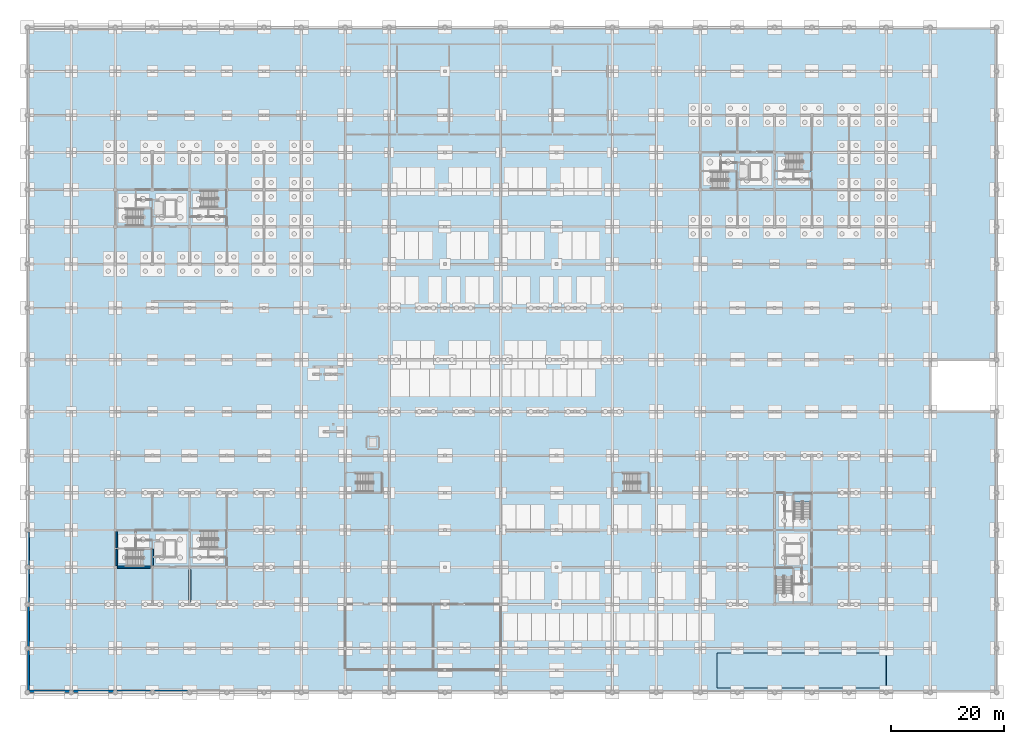
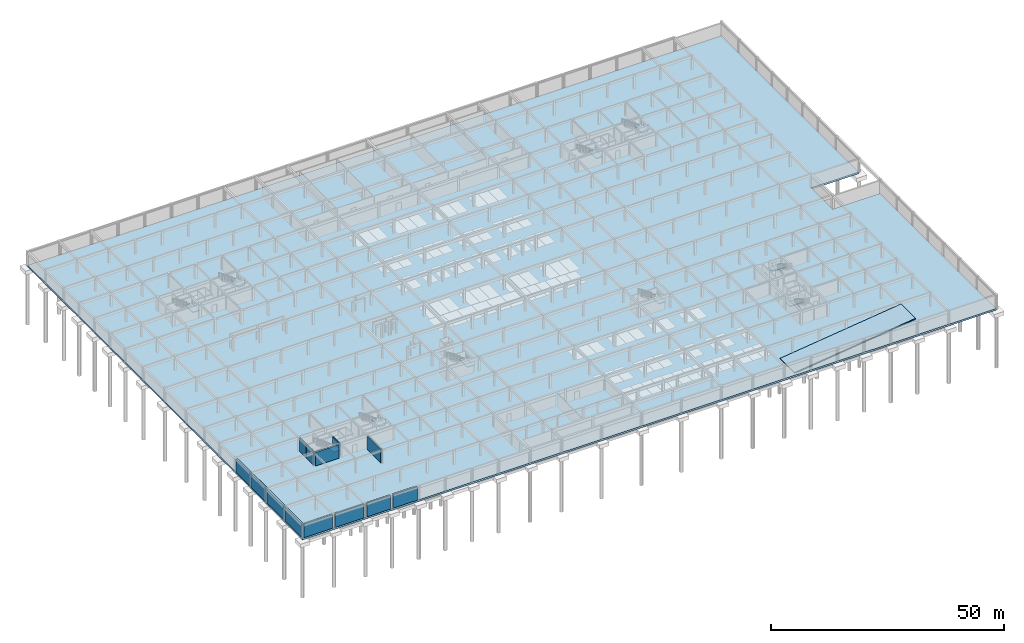
# One storey, part 22 of 37: 13 walls, 12 slabs, 10 elements without a shape of their own.
"""IFC4 building model written with IfcOpenShell, lengths in metres."""

from ifc_helpers import new_model, si_unit, direction, frame, frame_2d, origin, place, context, subcontext, project, spatial, polyline, rectangle, outline, extrude, material, layer, layer_set, type_object, element, aggregate, save


model = new_model("IFC4")

# Units and contexts
model_context = context("Model", 3, precision=1e-05, world=origin(), true_north=direction((0.0, 1.0)))
body_context = subcontext(model_context, "Body", "Model", "MODEL_VIEW")
ifc_project = project(units=[si_unit("LENGTHUNIT", "METRE"), si_unit("AREAUNIT", "SQUARE_METRE"), si_unit("VOLUMEUNIT", "CUBIC_METRE"), si_unit("PLANEANGLEUNIT", "RADIAN"), si_unit("MASSUNIT", "GRAM", prefix="KILO")], contexts=[model_context])

# Site, building, storey
site_placement = place(None, origin())
site = spatial("IfcSite", under=ifc_project, at=site_placement, CompositionType="ELEMENT")
building_placement = place(site_placement, origin())
building = spatial("IfcBuilding", under=site, at=building_placement, Name="Kernevlak Ridge Housing Community", CompositionType="ELEMENT")
storey_placement = place(building_placement, frame((0.0, 0.0, -3.800048828125)))
storey = spatial("IfcBuildingStorey", under=building, at=storey_placement, Name="B1", CompositionType="ELEMENT", Elevation=-3.800048828125)

# Slabs
ifc_material_1 = material(Name="Concrete C35/45", Category="concrete")
ifc_layer_1 = layer(ifc_material_1, 0.449951171875, Name="Concrete C35/45")
ifc_layer_set_1 = layer_set([ifc_layer_1], Name="Concrete C35/45")
slab_type_1 = type_object("IfcSlabType", Name="SL-01", PredefinedType="BASESLAB", material=ifc_layer_set_1)
slab_1_placement = place(storey_placement, frame((0.0, 0.0, -0.449951171875)))
element("IfcSlab", 1, at=slab_1_placement, inside=storey, type_object=slab_type_1, Name="Basement B1 base slab", PredefinedType="BASESLAB", context=body_context, shape_type="SweptSolid", body=[
    extrude(outline(polyline([(0.0, 0.0), (172.0, 0.0), (172.0, 49.800048828125), (160.199951171875, 49.800048828125), (160.199951171875, 59.0), (172.0, 59.0), (172.0, 118.0), (0.0, 118.0), (0.0, 0.0)])), origin(), (0.0, 0.0, 1.0), 0.449951171875),
])
ifc_layer_2 = layer(ifc_material_1, 0.25, Name="Concrete C35/45")
ifc_layer_set_2 = layer_set([ifc_layer_2], Name="Concrete C35/45")
slab_type_2 = type_object("IfcSlabType", Name="SL-06", PredefinedType="FLOOR", material=ifc_layer_set_2)
slab_2_placement = place(storey_placement, frame((122.39990234375, 0.800048828125, 0.050048828125), z_axis=(-0.124034734589, 0.0, 0.992277876714), x_axis=(0.992277876714, 0.0, 0.124034734589)))
element("IfcSlab", 2, at=slab_2_placement, inside=storey, type_object=slab_type_2, Name="Car park vehicle ramp R1", PredefinedType="FLOOR", context=body_context, shape_type="SweptSolid", body=[
    extrude(outline(polyline([(0.0, 0.0), (30.233466556119563, 0.0), (30.233466556119563, 6.199951171875002), (0.0, 6.199951171875002), (0.0, 0.0)])), origin(), (0.0, 0.0, -1.0), 0.25),
])

# Stair, slab
stair_type_1 = type_object("IfcStairType", Name="SR-03", PredefinedType="HALF_TURN_STAIR", material=ifc_material_1)
stair_1_placement = place(storey_placement, origin())
stair_1 = element("IfcStair", 3, at=stair_1_placement, inside=storey, type_object=stair_type_1, Name="Stair ST-A1 B1", PredefinedType="HALF_TURN_STAIR")
ifc_layer_3 = layer(ifc_material_1, 0.18994140625, Name="Concrete C35/45")
ifc_layer_set_3 = layer_set([ifc_layer_3], Name="Concrete C35/45")
slab_type_3 = type_object("IfcSlabType", Name="SL-13", PredefinedType="LANDING", material=ifc_layer_set_3)
slab_3_placement = place(storey_placement, frame((0.0, 0.0, 1.7099609375)))
slab_3 = element("IfcSlab", 4, at=slab_3_placement, type_object=slab_type_3, Name="SR-03 landing 1", PredefinedType="LANDING", context=body_context, shape_type="SweptSolid", body=[
    extrude(outline(polyline([(20.5400390625, 82.64990234375), (22.14990234375, 82.64990234375), (22.14990234375, 85.85009765625), (20.5400390625, 85.85009765625), (20.5400390625, 82.64990234375)])), origin(), (0.0, 0.0, 1.0), 0.190185546875),
])
aggregate(stair_1, [slab_3])

stair_2_placement = place(storey_placement, origin())
stair_2 = element("IfcStair", 5, at=stair_2_placement, inside=storey, type_object=stair_type_1, Name="Stair ST-A2 B1", PredefinedType="HALF_TURN_STAIR")
slab_4_placement = place(storey_placement, frame((0.0, 0.0, 1.7099609375)))
slab_4 = element("IfcSlab", 6, at=slab_4_placement, type_object=slab_type_3, Name="SR-03 landing 1", PredefinedType="LANDING", context=body_context, shape_type="SweptSolid", body=[
    extrude(outline(polyline([(33.739990234375, 85.949951171875), (35.35009765625, 85.949951171875), (35.35009765625, 89.14990234375), (33.739990234375, 89.14990234375), (33.739990234375, 85.949951171875)])), origin(), (0.0, 0.0, 1.0), 0.190185546875),
])
aggregate(stair_2, [slab_4])

stair_3_placement = place(storey_placement, origin())
stair_3 = element("IfcStair", 7, at=stair_3_placement, inside=storey, type_object=stair_type_1, Name="Stair ST-B1 B1", PredefinedType="HALF_TURN_STAIR")
slab_5_placement = place(storey_placement, frame((0.0, 0.0, 1.7099609375)))
slab_5 = element("IfcSlab", 8, at=slab_5_placement, type_object=slab_type_3, Name="SR-03 landing 1", PredefinedType="LANDING", context=body_context, shape_type="SweptSolid", body=[
    extrude(outline(polyline([(124.340087890625, 89.25), (125.949951171875, 89.25), (125.949951171875, 92.449951171875), (124.340087890625, 92.449951171875), (124.340087890625, 89.25)])), origin(), (0.0, 0.0, 1.0), 0.190185546875),
])
aggregate(stair_3, [slab_5])

stair_4_placement = place(storey_placement, origin())
stair_4 = element("IfcStair", 9, at=stair_4_placement, inside=storey, type_object=stair_type_1, Name="Stair ST-B2 B1", PredefinedType="HALF_TURN_STAIR")
slab_6_placement = place(storey_placement, frame((0.0, 0.0, 1.7099609375)))
slab_6 = element("IfcSlab", 10, at=slab_6_placement, type_object=slab_type_3, Name="SR-03 landing 1", PredefinedType="LANDING", context=body_context, shape_type="SweptSolid", body=[
    extrude(outline(polyline([(137.5400390625, 92.550048828125), (139.14990234375, 92.550048828125), (139.14990234375, 95.75), (137.5400390625, 95.75), (137.5400390625, 92.550048828125)])), origin(), (0.0, 0.0, 1.0), 0.190185546875),
])
aggregate(stair_4, [slab_6])

stair_5_placement = place(storey_placement, origin())
stair_5 = element("IfcStair", 11, at=stair_5_placement, inside=storey, type_object=stair_type_1, Name="Stair ST-C1 B1", PredefinedType="HALF_TURN_STAIR")
slab_7_placement = place(storey_placement, frame((0.0, 0.0, 1.7099609375)))
slab_7 = element("IfcSlab", 12, at=slab_7_placement, type_object=slab_type_3, Name="SR-03 landing 1", PredefinedType="LANDING", context=body_context, shape_type="SweptSolid", body=[
    extrude(outline(polyline([(135.85009765625, 20.5400390625), (135.85009765625, 22.14990234375), (132.64990234375, 22.14990234375), (132.64990234375, 20.5400390625), (135.85009765625, 20.5400390625)])), origin(), (0.0, 0.0, 1.0), 0.190185546875),
])
aggregate(stair_5, [slab_7])

stair_6_placement = place(storey_placement, origin())
stair_6 = element("IfcStair", 13, at=stair_6_placement, inside=storey, type_object=stair_type_1, Name="Stair ST-C2 B1", PredefinedType="HALF_TURN_STAIR")
slab_8_placement = place(storey_placement, frame((0.0, 0.0, 1.7099609375)))
slab_8 = element("IfcSlab", 14, at=slab_8_placement, type_object=slab_type_3, Name="SR-03 landing 1", PredefinedType="LANDING", context=body_context, shape_type="SweptSolid", body=[
    extrude(outline(polyline([(139.14990234375, 33.739990234375), (139.14990234375, 35.35009765625), (135.949951171875, 35.35009765625), (135.949951171875, 33.739990234375), (139.14990234375, 33.739990234375)])), origin(), (0.0, 0.0, 1.0), 0.190185546875),
])
aggregate(stair_6, [slab_8])

stair_7_placement = place(storey_placement, origin())
stair_7 = element("IfcStair", 15, at=stair_7_placement, inside=storey, type_object=stair_type_1, Name="Stair ST-D1 B1", PredefinedType="HALF_TURN_STAIR")
slab_9_placement = place(storey_placement, frame((0.0, 0.0, 1.7099609375)))
slab_9 = element("IfcSlab", 16, at=slab_9_placement, type_object=slab_type_3, Name="SR-03 landing 1", PredefinedType="LANDING", context=body_context, shape_type="SweptSolid", body=[
    extrude(outline(polyline([(20.5400390625, 22.25), (22.14990234375, 22.25), (22.14990234375, 25.449951171875), (20.5400390625, 25.449951171875), (20.5400390625, 22.25)])), origin(), (0.0, 0.0, 1.0), 0.190185546875),
])
aggregate(stair_7, [slab_9])

stair_8_placement = place(storey_placement, origin())
stair_8 = element("IfcStair", 17, at=stair_8_placement, inside=storey, type_object=stair_type_1, Name="Stair ST-D2 B1", PredefinedType="HALF_TURN_STAIR")
slab_10_placement = place(storey_placement, frame((0.0, 0.0, 1.7099609375)))
slab_10 = element("IfcSlab", 18, at=slab_10_placement, type_object=slab_type_3, Name="SR-03 landing 1", PredefinedType="LANDING", context=body_context, shape_type="SweptSolid", body=[
    extrude(outline(polyline([(33.739990234375, 25.550048828125), (35.35009765625, 25.550048828125), (35.35009765625, 28.75), (33.739990234375, 28.75), (33.739990234375, 25.550048828125)])), origin(), (0.0, 0.0, 1.0), 0.190185546875),
])
aggregate(stair_8, [slab_10])

stair_type_2 = type_object("IfcStairType", Name="SR-05", PredefinedType="HALF_TURN_STAIR", material=ifc_material_1)
stair_9_placement = place(storey_placement, origin())
stair_9 = element("IfcStair", 19, at=stair_9_placement, inside=storey, type_object=stair_type_2, Name="Stair ST-P1 B1", PredefinedType="HALF_TURN_STAIR")
ifc_layer_4 = layer(ifc_material_1, 0.205078125, Name="Concrete C35/45")
ifc_layer_set_4 = layer_set([ifc_layer_4], Name="Concrete C35/45")
slab_type_4 = type_object("IfcSlabType", Name="SL-14", PredefinedType="LANDING", material=ifc_layer_set_4)
slab_11_placement = place(storey_placement, frame((0.0, 0.0, 1.695068359375)))
slab_11 = element("IfcSlab", 20, at=slab_11_placement, type_object=slab_type_4, Name="SR-05 landing 1", PredefinedType="LANDING", context=body_context, shape_type="SweptSolid", body=[
    extrude(outline(polyline([(61.340087890625, 35.449951171875), (62.949951171875, 35.449951171875), (62.949951171875, 38.949951171875), (61.340087890625, 38.949951171875), (61.340087890625, 35.449951171875)])), origin(), (0.0, 0.0, 1.0), 0.205078125),
])
aggregate(stair_9, [slab_11])

stair_10_placement = place(storey_placement, origin())
stair_10 = element("IfcStair", 21, at=stair_10_placement, inside=storey, type_object=stair_type_2, Name="Stair ST-P2 B1", PredefinedType="HALF_TURN_STAIR")
slab_12_placement = place(storey_placement, frame((0.0, 0.0, 1.695068359375)))
slab_12 = element("IfcSlab", 22, at=slab_12_placement, type_object=slab_type_4, Name="SR-05 landing 1", PredefinedType="LANDING", context=body_context, shape_type="SweptSolid", body=[
    extrude(outline(polyline([(108.739990234375, 35.449951171875), (110.35009765625, 35.449951171875), (110.35009765625, 38.949951171875), (108.739990234375, 38.949951171875), (108.739990234375, 35.449951171875)])), origin(), (0.0, 0.0, 1.0), 0.205078125),
])
aggregate(stair_10, [slab_12])

# Walls
ifc_layer_5 = layer(ifc_material_1, 0.22509765625, Name="Concrete C35/45")
ifc_layer_set_5 = layer_set([ifc_layer_5], Name="Concrete C35/45")
wall_type_1 = type_object("IfcWallType", Name="PW-01", PredefinedType="STANDARD", material=ifc_layer_set_5)
for number, where, z_axis, x_axis, name in (
    (23, (15.800048828125, 22.47998046875, 0.0), (0.0, 0.0, 1.0), (0.0, 1.0, 0.0), "Interior wall PW-01 WAL-INT-B1-2916"),
    (24, (15.800048828125, 25.62255859375, 0.0), (0.0, 0.0, 1.0), (0.0, 1.0, 0.0), "Interior wall PW-01 WAL-INT-B1-2916-S2"),
):
    element("IfcWall", number, at=place(storey_placement, frame(where, z_axis=z_axis, x_axis=x_axis)), inside=storey, type_object=wall_type_1, Name=name, PredefinedType="STANDARD", context=body_context, shape_type="SweptSolid", body=[
        extrude(rectangle(XDim=2.8974609375, YDim=0.22509765625, at=frame_2d((1.44873046875, 0.0))), origin(), (0.0, 0.0, 1.0), 3.52001953125),
    ])
ifc_material_2 = material(Name="Concrete C40/50", Category="concrete")
ifc_layer_6 = layer(ifc_material_2, 0.39990234375, Name="Concrete C40/50")
ifc_layer_set_6 = layer_set([ifc_layer_6], Name="Concrete C40/50")
wall_type_2 = type_object("IfcWallType", Name="RW-01", PredefinedType="USERDEFINED", material=ifc_layer_set_6)
wall_1_placement = place(storey_placement, frame((0.35009765625, 0.199951171875, 0.0), z_axis=(0.0, 0.0, 1.0), x_axis=(1.0, 0.0, 0.0)))
element("IfcWall", 25, at=wall_1_placement, inside=storey, type_object=wall_type_2, Name="Basement retaining wall RW-01 1", ObjectType="RETAININGWALL", PredefinedType="USERDEFINED", context=body_context, shape_type="SweptSolid", body=[
    extrude(rectangle(XDim=7.099853515625, YDim=0.39990234375, at=frame_2d((3.5498046875, 0.0))), origin(), (0.0, 0.0, 1.0), 3.52001953125),
])
wall_2_placement = place(storey_placement, frame((8.14990234375, 0.199951171875, 0.0), z_axis=(0.0, 0.0, 1.0), x_axis=(1.0, 0.0, 0.0)))
element("IfcWall", 26, at=wall_2_placement, inside=storey, type_object=wall_type_2, Name="Basement retaining wall RW-01 2", ObjectType="RETAININGWALL", PredefinedType="USERDEFINED", context=body_context, shape_type="SweptSolid", body=[
    extrude(rectangle(XDim=7.10009765625, YDim=0.39990234375, at=frame_2d((3.550048828125, 0.0))), origin(), (0.0, 0.0, 1.0), 3.52001953125),
])
wall_3_placement = place(storey_placement, frame((15.949951171875, 0.199951171875, 0.0), z_axis=(0.0, 0.0, 1.0), x_axis=(1.0, 0.0, 0.0)))
element("IfcWall", 27, at=wall_3_placement, inside=storey, type_object=wall_type_2, Name="Basement retaining wall RW-01 3", ObjectType="RETAININGWALL", PredefinedType="USERDEFINED", context=body_context, shape_type="SweptSolid", body=[
    extrude(rectangle(XDim=5.900146484375, YDim=0.39990234375, at=frame_2d((2.9501953125, 0.0))), origin(), (0.0, 0.0, 1.0), 3.52001953125),
])
wall_4_placement = place(storey_placement, frame((22.550048828125, 0.199951171875, 0.0), z_axis=(0.0, 0.0, 1.0), x_axis=(1.0, 0.0, 0.0)))
element("IfcWall", 28, at=wall_4_placement, inside=storey, type_object=wall_type_2, Name="Basement retaining wall RW-01 4", ObjectType="RETAININGWALL", PredefinedType="USERDEFINED", context=body_context, shape_type="SweptSolid", body=[
    extrude(rectangle(XDim=5.89990234375, YDim=0.39990234375, at=frame_2d((2.949951171875, 0.0))), origin(), (0.0, 0.0, 1.0), 3.52001953125),
])
wall_5_placement = place(storey_placement, frame((0.199951171875, 0.35009765625, 0.0), z_axis=(0.0, 0.0, 1.0), x_axis=(0.0, 1.0, 0.0)))
element("IfcWall", 29, at=wall_5_placement, inside=storey, type_object=wall_type_2, Name="Basement retaining wall RW-01 45", ObjectType="RETAININGWALL", PredefinedType="USERDEFINED", context=body_context, shape_type="SweptSolid", body=[
    extrude(rectangle(XDim=7.099853515625, YDim=0.39990234375, at=frame_2d((3.5498046875, 0.0))), origin(), (0.0, 0.0, 1.0), 3.52001953125),
])
wall_6_placement = place(storey_placement, frame((0.199951171875, 8.14990234375, 0.0), z_axis=(0.0, 0.0, 1.0), x_axis=(0.0, 1.0, 0.0)))
element("IfcWall", 30, at=wall_6_placement, inside=storey, type_object=wall_type_2, Name="Basement retaining wall RW-01 46", ObjectType="RETAININGWALL", PredefinedType="USERDEFINED", context=body_context, shape_type="SweptSolid", body=[
    extrude(rectangle(XDim=7.10009765625, YDim=0.39990234375, at=frame_2d((3.550048828125, 0.0))), origin(), (0.0, 0.0, 1.0), 3.52001953125),
])
wall_7_placement = place(storey_placement, frame((0.199951171875, 15.949951171875, 0.0), z_axis=(0.0, 0.0, 1.0), x_axis=(0.0, 1.0, 0.0)))
element("IfcWall", 31, at=wall_7_placement, inside=storey, type_object=wall_type_2, Name="Basement retaining wall RW-01 47", ObjectType="RETAININGWALL", PredefinedType="USERDEFINED", context=body_context, shape_type="SweptSolid", body=[
    extrude(rectangle(XDim=5.900146484375, YDim=0.39990234375, at=frame_2d((2.9501953125, 0.0))), origin(), (0.0, 0.0, 1.0), 3.52001953125),
])
wall_8_placement = place(storey_placement, frame((0.199951171875, 22.550048828125, 0.0), z_axis=(0.0, 0.0, 1.0), x_axis=(0.0, 1.0, 0.0)))
element("IfcWall", 32, at=wall_8_placement, inside=storey, type_object=wall_type_2, Name="Basement retaining wall RW-01 48", ObjectType="RETAININGWALL", PredefinedType="USERDEFINED", context=body_context, shape_type="SweptSolid", body=[
    extrude(rectangle(XDim=5.89990234375, YDim=0.39990234375, at=frame_2d((2.949951171875, 0.0))), origin(), (0.0, 0.0, 1.0), 3.52001953125),
])
ifc_layer_7 = layer(ifc_material_2, 0.35009765625, Name="Concrete C40/50")
ifc_layer_set_7 = layer_set([ifc_layer_7], Name="Concrete C40/50")
wall_type_3 = type_object("IfcWallType", Name="SW-01", PredefinedType="SHEAR", material=ifc_layer_set_7)
wall_9_placement = place(storey_placement, frame((15.97998046875, 22.199951171875, 0.0), z_axis=(0.0, 0.0, 1.0), x_axis=(1.0, 0.0, 0.0)))
element("IfcWall", 33, at=wall_9_placement, inside=storey, type_object=wall_type_3, Name="Shear wall SW-01 Block D B1 497", PredefinedType="SHEAR", context=body_context, shape_type="SweptSolid", body=[
    extrude(rectangle(XDim=5.840087890625, YDim=0.35009765625, at=frame_2d((2.919921875, 0.0))), origin(), (0.0, 0.0, 1.0), 3.52001953125),
])
wall_10_placement = place(storey_placement, frame((22.199951171875, 22.550048828125, 0.0), z_axis=(0.0, 0.0, 1.0), x_axis=(0.0, 1.0, 0.0)))
element("IfcWall", 34, at=wall_10_placement, inside=storey, type_object=wall_type_3, Name="Shear wall SW-01 Block D B1 499", PredefinedType="SHEAR", context=body_context, shape_type="SweptSolid", body=[
    extrude(rectangle(XDim=2.800048828125, YDim=0.35009765625, at=frame_2d((1.39990234375, 0.0))), origin(), (0.0, 0.0, 1.0), 3.52001953125),
])
wall_11_placement = place(storey_placement, frame((28.800048828125, 16.050048828125, 0.0), z_axis=(0.0, 0.0, 1.0), x_axis=(0.0, 1.0, 0.0)))
element("IfcWall", 35, at=wall_11_placement, inside=storey, type_object=wall_type_3, Name="Shear wall SW-01 Block D B1 504", PredefinedType="SHEAR", context=body_context, shape_type="SweptSolid", body=[
    extrude(rectangle(XDim=5.699951171875, YDim=0.35009765625, at=frame_2d((2.85009765625, 0.0))), origin(), (0.0, 0.0, 1.0), 3.52001953125),
])

save(model, "model.ifc")
